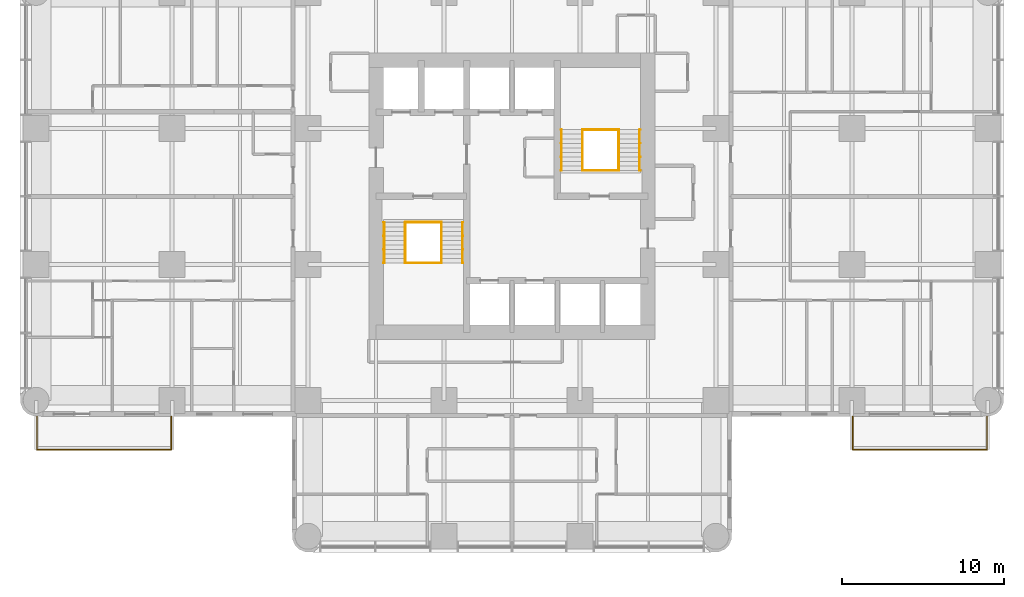
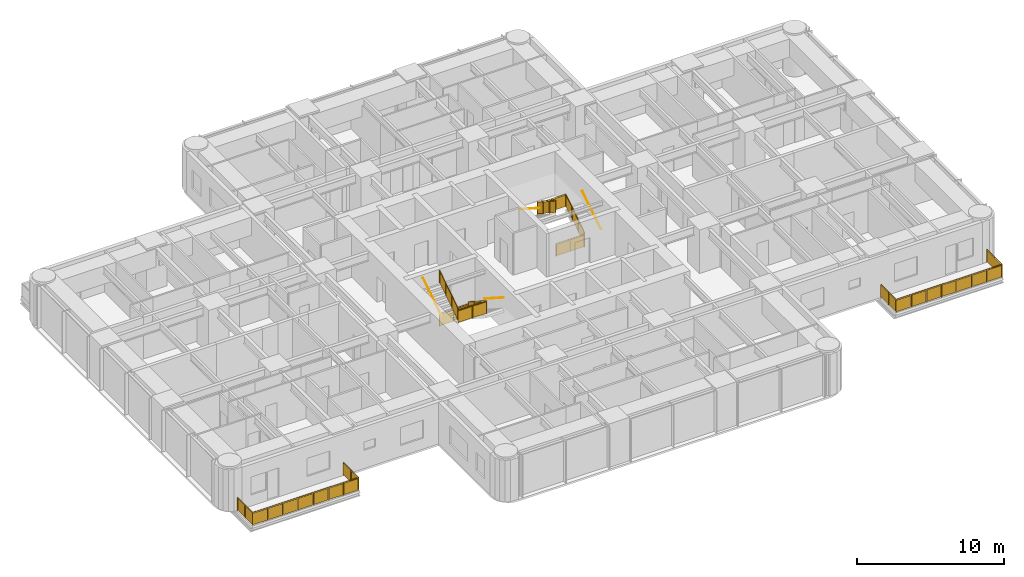
# One storey, part 13 of 14: 14 railings.
"""IFC4 building model written with IfcOpenShell, lengths in metres."""

from ifc_helpers import new_model, si_unit, direction, frame, origin, origin_2d, place, context, subcontext, project, spatial, polyline, circle, outline, extrude, material, constituent, constituent_set, type_object, element, save


model = new_model("IFC4")

# Units and contexts
model_context = context("Model", 3, precision=1e-05, world=origin(), true_north=direction((0.0, 1.0)))
body_context = subcontext(model_context, "Body", "Model", "MODEL_VIEW")
ifc_project = project(units=[si_unit("LENGTHUNIT", "METRE"), si_unit("AREAUNIT", "SQUARE_METRE"), si_unit("VOLUMEUNIT", "CUBIC_METRE"), si_unit("PLANEANGLEUNIT", "RADIAN"), si_unit("MASSUNIT", "GRAM", prefix="KILO")], contexts=[model_context])

# Site, building, storey
site_placement = place(None, origin())
site = spatial("IfcSite", under=ifc_project, at=site_placement, CompositionType="ELEMENT")
building_placement = place(site_placement, origin())
building = spatial("IfcBuilding", under=site, at=building_placement, Name="Torre Alcanfor", CompositionType="ELEMENT")
storey_placement = place(building_placement, frame((0.0, 0.0, 134.10009765625)))
storey = spatial("IfcBuildingStorey", under=building, at=storey_placement, Name="L34", CompositionType="ELEMENT", Elevation=134.10009765625)

# Railings
ifc_material_1 = material(Name="Laminated safety glass", Category="glass")
ifc_constituent_1 = constituent(ifc_material_1, Name="Infill")
ifc_material_2 = material(Name="Stainless steel ASTM A554 Grade MT 316L tube", Category="steel")
ifc_constituent_2 = constituent(ifc_material_2, Name="Posts and rail")
ifc_constituent_set = constituent_set(constituents=[ifc_constituent_1, ifc_constituent_2], Name="Balcony guard glass 1100")
railing_type_1 = type_object("IfcRailingType", Name="Balcony guard glass 1100", PredefinedType="BALUSTRADE", material=ifc_constituent_set)
railing_1_placement = place(storey_placement, frame((50.449951171875, 15.800048828125, 0.0)))
element("IfcRailing", 1, at=railing_1_placement, inside=storey, type_object=railing_type_1, Name="Balcony guard L34-E2", PredefinedType="BALUSTRADE", context=body_context, shape_type="SweptSolid", body=[
    extrude(circle(Radius=0.02392578125, at=origin_2d()), frame((0.0, 0.0, 1.076171875), z_axis=(0.0, -1.0, 0.0), x_axis=(1.0, 0.0, 0.0)), (0.0, 0.0, 1.0), 2.050048828125),
    extrude(circle(Radius=0.02392578125, at=origin_2d()), frame((0.0, -2.050048828125, 1.076171875), z_axis=(1.0, 0.0, 0.0), x_axis=(0.0, 1.0, 0.0)), (0.0, 0.0, 1.0), 8.300048828125),
    extrude(circle(Radius=0.02392578125, at=origin_2d()), frame((8.300048828125, -2.050048828125, 1.076171875), z_axis=(0.0, 1.0, 0.0), x_axis=(-1.0, 0.0, 0.0)), (0.0, 0.0, 1.0), 2.050048828125),
    extrude(circle(Radius=0.02099609375, at=origin_2d()), origin(), (0.0, 0.0, 1.0), 1.052001953125),
    extrude(circle(Radius=0.02099609375, at=origin_2d()), frame((0.0, -1.02490234375, 0.0)), (0.0, 0.0, 1.0), 1.052001953125),
    extrude(circle(Radius=0.02099609375, at=origin_2d()), frame((0.0, -2.050048828125, 0.0)), (0.0, 0.0, 1.0), 1.052001953125),
    extrude(circle(Radius=0.02099609375, at=origin_2d()), frame((1.185791015625, -2.050048828125, 0.0)), (0.0, 0.0, 1.0), 1.052001953125),
    extrude(circle(Radius=0.02099609375, at=origin_2d()), frame((2.371337890625, -2.050048828125, 0.0)), (0.0, 0.0, 1.0), 1.052001953125),
    extrude(circle(Radius=0.02099609375, at=origin_2d()), frame((3.55712890625, -2.050048828125, 0.0)), (0.0, 0.0, 1.0), 1.052001953125),
    extrude(circle(Radius=0.02099609375, at=origin_2d()), frame((4.742919921875, -2.050048828125, 0.0)), (0.0, 0.0, 1.0), 1.052001953125),
    extrude(circle(Radius=0.02099609375, at=origin_2d()), frame((5.9287109375, -2.050048828125, 0.0)), (0.0, 0.0, 1.0), 1.052001953125),
    extrude(circle(Radius=0.02099609375, at=origin_2d()), frame((7.1142578125, -2.050048828125, 0.0)), (0.0, 0.0, 1.0), 1.052001953125),
    extrude(circle(Radius=0.02099609375, at=origin_2d()), frame((8.300048828125, -2.050048828125, 0.0)), (0.0, 0.0, 1.0), 1.052001953125),
    extrude(circle(Radius=0.02099609375, at=origin_2d()), frame((8.300048828125, -1.02490234375, 0.0)), (0.0, 0.0, 1.0), 1.052001953125),
    extrude(circle(Radius=0.02099609375, at=origin_2d()), frame((8.300048828125, 0.0, 0.0)), (0.0, 0.0, 1.0), 1.052001953125),
    extrude(outline(polyline([(0.041015625, 0.050048828125), (0.984130859375, 0.050048828125), (0.984130859375, 1.001953125), (0.041015625, 1.001953125), (0.041015625, 0.050048828125)])), frame((0.005859375, 0.0, 0.0), z_axis=(-1.0, 0.0, 0.0), x_axis=(0.0, -1.0, 0.0)), (0.0, 0.0, 1.0), 0.011962890625),
    extrude(outline(polyline([(1.06591796875, 0.050048828125), (2.009033203125, 0.050048828125), (2.009033203125, 1.001953125), (1.06591796875, 1.001953125), (1.06591796875, 0.050048828125)])), frame((0.005859375, 0.0, 0.0), z_axis=(-1.0, 0.0, 0.0), x_axis=(0.0, -1.0, 0.0)), (0.0, 0.0, 1.0), 0.011962890625),
    extrude(outline(polyline([(0.041015625, 0.050048828125), (1.144775390625, 0.050048828125), (1.144775390625, 1.001953125), (0.041015625, 1.001953125), (0.041015625, 0.050048828125)])), frame((0.0, -2.0439453125, 0.0), z_axis=(0.0, -1.0, 0.0), x_axis=(1.0, 0.0, 0.0)), (0.0, 0.0, 1.0), 0.011962890625),
    extrude(outline(polyline([(1.226806640625, 0.050048828125), (2.330322265625, 0.050048828125), (2.330322265625, 1.001953125), (1.226806640625, 1.001953125), (1.226806640625, 0.050048828125)])), frame((0.0, -2.0439453125, 0.0), z_axis=(0.0, -1.0, 0.0), x_axis=(1.0, 0.0, 0.0)), (0.0, 0.0, 1.0), 0.011962890625),
    extrude(outline(polyline([(2.412353515625, 0.050048828125), (3.51611328125, 0.050048828125), (3.51611328125, 1.001953125), (2.412353515625, 1.001953125), (2.412353515625, 0.050048828125)])), frame((0.0, -2.0439453125, 0.0), z_axis=(0.0, -1.0, 0.0), x_axis=(1.0, 0.0, 0.0)), (0.0, 0.0, 1.0), 0.011962890625),
    extrude(outline(polyline([(3.59814453125, 0.050048828125), (4.701904296875, 0.050048828125), (4.701904296875, 1.001953125), (3.59814453125, 1.001953125), (3.59814453125, 0.050048828125)])), frame((0.0, -2.0439453125, 0.0), z_axis=(0.0, -1.0, 0.0), x_axis=(1.0, 0.0, 0.0)), (0.0, 0.0, 1.0), 0.011962890625),
    extrude(outline(polyline([(4.783935546875, 0.050048828125), (5.8876953125, 0.050048828125), (5.8876953125, 1.001953125), (4.783935546875, 1.001953125), (4.783935546875, 0.050048828125)])), frame((0.0, -2.0439453125, 0.0), z_axis=(0.0, -1.0, 0.0), x_axis=(1.0, 0.0, 0.0)), (0.0, 0.0, 1.0), 0.011962890625),
    extrude(outline(polyline([(5.9697265625, 0.050048828125), (7.0732421875, 0.050048828125), (7.0732421875, 1.001953125), (5.9697265625, 1.001953125), (5.9697265625, 0.050048828125)])), frame((0.0, -2.0439453125, 0.0), z_axis=(0.0, -1.0, 0.0), x_axis=(1.0, 0.0, 0.0)), (0.0, 0.0, 1.0), 0.011962890625),
    extrude(outline(polyline([(7.1552734375, 0.050048828125), (8.259033203125, 0.050048828125), (8.259033203125, 1.001953125), (7.1552734375, 1.001953125), (7.1552734375, 0.050048828125)])), frame((0.0, -2.0439453125, 0.0), z_axis=(0.0, -1.0, 0.0), x_axis=(1.0, 0.0, 0.0)), (0.0, 0.0, 1.0), 0.011962890625),
    extrude(outline(polyline([(0.041015625, 0.050048828125), (0.984130859375, 0.050048828125), (0.984130859375, 1.001953125), (0.041015625, 1.001953125), (0.041015625, 0.050048828125)])), frame((8.2939453125, -2.050048828125, 0.0), z_axis=(1.0, 0.0, 0.0), x_axis=(0.0, 1.0, 0.0)), (0.0, 0.0, 1.0), 0.011962890625),
    extrude(outline(polyline([(1.06591796875, 0.050048828125), (2.009033203125, 0.050048828125), (2.009033203125, 1.001953125), (1.06591796875, 1.001953125), (1.06591796875, 0.050048828125)])), frame((8.2939453125, -2.050048828125, 0.0), z_axis=(1.0, 0.0, 0.0), x_axis=(0.0, 1.0, 0.0)), (0.0, 0.0, 1.0), 0.011962890625),
])
railing_2_placement = place(storey_placement, frame((8.35009765625, 15.800048828125, 0.0)))
element("IfcRailing", 2, at=railing_2_placement, inside=storey, type_object=railing_type_1, Name="Balcony guard L34-W1", PredefinedType="BALUSTRADE", context=body_context, shape_type="SweptSolid", body=[
    extrude(circle(Radius=0.02392578125, at=origin_2d()), frame((0.0, 0.0, 1.076171875), z_axis=(0.0, -1.0, 0.0), x_axis=(1.0, 0.0, 0.0)), (0.0, 0.0, 1.0), 2.050048828125),
    extrude(circle(Radius=0.02392578125, at=origin_2d()), frame((0.0, -2.050048828125, 1.076171875), z_axis=(-1.0, 0.0, 0.0), x_axis=(0.0, -1.0, 0.0)), (0.0, 0.0, 1.0), 8.300048828125),
    extrude(circle(Radius=0.02392578125, at=origin_2d()), frame((-8.300048828125, -2.050048828125, 1.076171875), z_axis=(0.0, 1.0, 0.0), x_axis=(-1.0, 0.0, 0.0)), (0.0, 0.0, 1.0), 2.050048828125),
    extrude(circle(Radius=0.02099609375, at=origin_2d()), origin(), (0.0, 0.0, 1.0), 1.052001953125),
    extrude(circle(Radius=0.02099609375, at=origin_2d()), frame((0.0, -1.02490234375, 0.0)), (0.0, 0.0, 1.0), 1.052001953125),
    extrude(circle(Radius=0.02099609375, at=origin_2d()), frame((0.0, -2.050048828125, 0.0)), (0.0, 0.0, 1.0), 1.052001953125),
    extrude(circle(Radius=0.02099609375, at=origin_2d()), frame((-1.185791015625, -2.050048828125, 0.0)), (0.0, 0.0, 1.0), 1.052001953125),
    extrude(circle(Radius=0.02099609375, at=origin_2d()), frame((-2.371337890625, -2.050048828125, 0.0)), (0.0, 0.0, 1.0), 1.052001953125),
    extrude(circle(Radius=0.02099609375, at=origin_2d()), frame((-3.55712890625, -2.050048828125, 0.0)), (0.0, 0.0, 1.0), 1.052001953125),
    extrude(circle(Radius=0.02099609375, at=origin_2d()), frame((-4.742919921875, -2.050048828125, 0.0)), (0.0, 0.0, 1.0), 1.052001953125),
    extrude(circle(Radius=0.02099609375, at=origin_2d()), frame((-5.9287109375, -2.050048828125, 0.0)), (0.0, 0.0, 1.0), 1.052001953125),
    extrude(circle(Radius=0.02099609375, at=origin_2d()), frame((-7.1142578125, -2.050048828125, 0.0)), (0.0, 0.0, 1.0), 1.052001953125),
    extrude(circle(Radius=0.02099609375, at=origin_2d()), frame((-8.300048828125, -2.050048828125, 0.0)), (0.0, 0.0, 1.0), 1.052001953125),
    extrude(circle(Radius=0.02099609375, at=origin_2d()), frame((-8.300048828125, -1.02490234375, 0.0)), (0.0, 0.0, 1.0), 1.052001953125),
    extrude(circle(Radius=0.02099609375, at=origin_2d()), frame((-8.300048828125, 0.0, 0.0)), (0.0, 0.0, 1.0), 1.052001953125),
    extrude(outline(polyline([(0.041015625, 0.050048828125), (0.984130859375, 0.050048828125), (0.984130859375, 1.001953125), (0.041015625, 1.001953125), (0.041015625, 0.050048828125)])), frame((0.005859375, 0.0, 0.0), z_axis=(-1.0, 0.0, 0.0), x_axis=(0.0, -1.0, 0.0)), (0.0, 0.0, 1.0), 0.011962890625),
    extrude(outline(polyline([(1.06591796875, 0.050048828125), (2.009033203125, 0.050048828125), (2.009033203125, 1.001953125), (1.06591796875, 1.001953125), (1.06591796875, 0.050048828125)])), frame((0.005859375, 0.0, 0.0), z_axis=(-1.0, 0.0, 0.0), x_axis=(0.0, -1.0, 0.0)), (0.0, 0.0, 1.0), 0.011962890625),
    extrude(outline(polyline([(0.041015625, 0.050048828125), (1.144775390625, 0.050048828125), (1.144775390625, 1.001953125), (0.041015625, 1.001953125), (0.041015625, 0.050048828125)])), frame((0.0, -2.05615234375, 0.0), z_axis=(0.0, 1.0, 0.0), x_axis=(-1.0, 0.0, 0.0)), (0.0, 0.0, 1.0), 0.011962890625),
    extrude(outline(polyline([(1.226806640625, 0.050048828125), (2.330322265625, 0.050048828125), (2.330322265625, 1.001953125), (1.226806640625, 1.001953125), (1.226806640625, 0.050048828125)])), frame((0.0, -2.05615234375, 0.0), z_axis=(0.0, 1.0, 0.0), x_axis=(-1.0, 0.0, 0.0)), (0.0, 0.0, 1.0), 0.011962890625),
    extrude(outline(polyline([(2.412353515625, 0.050048828125), (3.51611328125, 0.050048828125), (3.51611328125, 1.001953125), (2.412353515625, 1.001953125), (2.412353515625, 0.050048828125)])), frame((0.0, -2.05615234375, 0.0), z_axis=(0.0, 1.0, 0.0), x_axis=(-1.0, 0.0, 0.0)), (0.0, 0.0, 1.0), 0.011962890625),
    extrude(outline(polyline([(3.59814453125, 0.050048828125), (4.701904296875, 0.050048828125), (4.701904296875, 1.001953125), (3.59814453125, 1.001953125), (3.59814453125, 0.050048828125)])), frame((0.0, -2.05615234375, 0.0), z_axis=(0.0, 1.0, 0.0), x_axis=(-1.0, 0.0, 0.0)), (0.0, 0.0, 1.0), 0.011962890625),
    extrude(outline(polyline([(4.783935546875, 0.050048828125), (5.8876953125, 0.050048828125), (5.8876953125, 1.001953125), (4.783935546875, 1.001953125), (4.783935546875, 0.050048828125)])), frame((0.0, -2.05615234375, 0.0), z_axis=(0.0, 1.0, 0.0), x_axis=(-1.0, 0.0, 0.0)), (0.0, 0.0, 1.0), 0.011962890625),
    extrude(outline(polyline([(5.9697265625, 0.050048828125), (7.0732421875, 0.050048828125), (7.0732421875, 1.001953125), (5.9697265625, 1.001953125), (5.9697265625, 0.050048828125)])), frame((0.0, -2.05615234375, 0.0), z_axis=(0.0, 1.0, 0.0), x_axis=(-1.0, 0.0, 0.0)), (0.0, 0.0, 1.0), 0.011962890625),
    extrude(outline(polyline([(7.1552734375, 0.050048828125), (8.259033203125, 0.050048828125), (8.259033203125, 1.001953125), (7.1552734375, 1.001953125), (7.1552734375, 0.050048828125)])), frame((0.0, -2.05615234375, 0.0), z_axis=(0.0, 1.0, 0.0), x_axis=(-1.0, 0.0, 0.0)), (0.0, 0.0, 1.0), 0.011962890625),
    extrude(outline(polyline([(0.041015625, 0.050048828125), (0.984130859375, 0.050048828125), (0.984130859375, 1.001953125), (0.041015625, 1.001953125), (0.041015625, 0.050048828125)])), frame((-8.30615234375, -2.050048828125, 0.0), z_axis=(1.0, 0.0, 0.0), x_axis=(0.0, 1.0, 0.0)), (0.0, 0.0, 1.0), 0.011962890625),
    extrude(outline(polyline([(1.06591796875, 0.050048828125), (2.009033203125, 0.050048828125), (2.009033203125, 1.001953125), (1.06591796875, 1.001953125), (1.06591796875, 0.050048828125)])), frame((-8.30615234375, -2.050048828125, 0.0), z_axis=(1.0, 0.0, 0.0), x_axis=(0.0, 1.0, 0.0)), (0.0, 0.0, 1.0), 0.011962890625),
])
ifc_material_3 = material(Name="Steel ASTM A500 Grade C hollow sections", Category="steel")
railing_type_2 = type_object("IfcRailingType", Name="Stair guard and handrail 1100", PredefinedType="GUARDRAIL", material=ifc_material_3)
railing_3_placement = place(storey_placement, frame((25.050048828125, 27.800048828125, 0.179931640625)))
element("IfcRailing", 3, at=railing_3_placement, inside=storey, type_object=railing_type_2, Name="Stair guard S1 L34 flight 1", PredefinedType="GUARDRAIL", context=body_context, shape_type="SweptSolid", body=[
    extrude(circle(Radius=0.02392578125, at=origin_2d()), frame((0.0, 0.0, 1.076171875), z_axis=(0.0, -0.841199657755, 0.540724639528), x_axis=(1.0, 0.0, 0.0)), (0.0, 0.0, 1.0), 2.995849609375),
    extrude(circle(Radius=0.02099609375, at=origin_2d()), origin(), (0.0, 0.0, 1.0), 1.052001953125),
    extrude(circle(Radius=0.02099609375, at=origin_2d()), frame((0.0, -0.840087890625, 0.5400390625)), (0.0, 0.0, 1.0), 1.052001953125),
    extrude(circle(Radius=0.02099609375, at=origin_2d()), frame((0.0, -1.679931640625, 1.079833984375)), (0.0, 0.0, 1.0), 1.052001953125),
    extrude(circle(Radius=0.02099609375, at=origin_2d()), frame((0.0, -2.52001953125, 1.619873046875)), (0.0, 0.0, 1.0), 1.052001953125),
    extrude(outline(polyline([(0.041015625, 0.076416015625), (0.799072265625, 0.563720703125), (0.799072265625, 1.515625), (0.041015625, 1.0283203125), (0.041015625, 0.076416015625)])), frame((0.005859375, 0.0, 0.0), z_axis=(-1.0, 0.0, 0.0), x_axis=(0.0, -1.0, 0.0)), (0.0, 0.0, 1.0), 0.011962890625),
    extrude(outline(polyline([(0.881103515625, 0.6162109375), (1.638916015625, 1.103515625), (1.638916015625, 2.0556640625), (0.881103515625, 1.568359375), (0.881103515625, 0.6162109375)])), frame((0.005859375, 0.0, 0.0), z_axis=(-1.0, 0.0, 0.0), x_axis=(0.0, -1.0, 0.0)), (0.0, 0.0, 1.0), 0.011962890625),
    extrude(outline(polyline([(1.720947265625, 1.15625), (2.47900390625, 1.6435546875), (2.47900390625, 2.595458984375), (1.720947265625, 2.108154296875), (1.720947265625, 1.15625)])), frame((0.005859375, 0.0, 0.0), z_axis=(-1.0, 0.0, 0.0), x_axis=(0.0, -1.0, 0.0)), (0.0, 0.0, 1.0), 0.011962890625),
])
railing_4_placement = place(storey_placement, frame((22.800048828125, 25.280029296875, 1.97998046875)))
element("IfcRailing", 4, at=railing_4_placement, inside=storey, type_object=railing_type_2, Name="Stair guard S1 L34 flight 2", PredefinedType="GUARDRAIL", context=body_context, shape_type="SweptSolid", body=[
    extrude(circle(Radius=0.02392578125, at=origin_2d()), frame((0.0, 0.0, 1.076171875), z_axis=(0.0, 0.841199657755, 0.540724639528), x_axis=(-1.0, 0.0, 0.0)), (0.0, 0.0, 1.0), 2.995849609375),
    extrude(circle(Radius=0.02099609375, at=origin_2d()), origin(), (0.0, 0.0, 1.0), 1.052001953125),
    extrude(circle(Radius=0.02099609375, at=origin_2d()), frame((0.0, 0.840087890625, 0.5400390625)), (0.0, 0.0, 1.0), 1.052001953125),
    extrude(circle(Radius=0.02099609375, at=origin_2d()), frame((0.0, 1.679931640625, 1.079833984375)), (0.0, 0.0, 1.0), 1.052001953125),
    extrude(circle(Radius=0.02099609375, at=origin_2d()), frame((0.0, 2.52001953125, 1.619873046875)), (0.0, 0.0, 1.0), 1.052001953125),
    extrude(outline(polyline([(0.041015625, 0.076416015625), (0.799072265625, 0.563720703125), (0.799072265625, 1.515625), (0.041015625, 1.0283203125), (0.041015625, 0.076416015625)])), frame((-0.005859375, 0.0, 0.0), z_axis=(1.0, 0.0, 0.0), x_axis=(0.0, 1.0, 0.0)), (0.0, 0.0, 1.0), 0.011962890625),
    extrude(outline(polyline([(0.881103515625, 0.6162109375), (1.638916015625, 1.103515625), (1.638916015625, 2.0556640625), (0.881103515625, 1.568359375), (0.881103515625, 0.6162109375)])), frame((-0.005859375, 0.0, 0.0), z_axis=(1.0, 0.0, 0.0), x_axis=(0.0, 1.0, 0.0)), (0.0, 0.0, 1.0), 0.011962890625),
    extrude(outline(polyline([(1.720947265625, 1.15625), (2.47900390625, 1.6435546875), (2.47900390625, 2.595458984375), (1.720947265625, 2.108154296875), (1.720947265625, 1.15625)])), frame((-0.005859375, 0.0, 0.0), z_axis=(1.0, 0.0, 0.0), x_axis=(0.0, 1.0, 0.0)), (0.0, 0.0, 1.0), 0.011962890625),
])
for number, where, name in (
    (5, (22.800048828125, 27.800048828125, 0.0), "Stair well guard S1 L34 floor landing"),
    (6, (22.800048828125, 25.280029296875, 1.7998046875), "Stair well guard S1 L34 half landing"),
):
    element("IfcRailing", number, at=place(storey_placement, frame(where)), inside=storey, type_object=railing_type_2, Name=name, PredefinedType="GUARDRAIL", context=body_context, shape_type="SweptSolid", body=[
        extrude(circle(Radius=0.02392578125, at=origin_2d()), frame((0.0, 0.0, 1.076171875), z_axis=(1.0, 0.0, 0.0), x_axis=(0.0, 1.0, 0.0)), (0.0, 0.0, 1.0), 2.25),
        extrude(circle(Radius=0.02099609375, at=origin_2d()), origin(), (0.0, 0.0, 1.0), 1.052001953125),
        extrude(circle(Radius=0.02099609375, at=origin_2d()), frame((1.125, 0.0, 0.0)), (0.0, 0.0, 1.0), 1.052001953125),
        extrude(circle(Radius=0.02099609375, at=origin_2d()), frame((2.25, 0.0, 0.0)), (0.0, 0.0, 1.0), 1.052001953125),
        extrude(outline(polyline([(0.041015625, 0.050048828125), (1.083984375, 0.050048828125), (1.083984375, 1.001953125), (0.041015625, 1.001953125), (0.041015625, 0.050048828125)])), frame((0.0, 0.005859375, 0.0), z_axis=(0.0, -1.0, 0.0), x_axis=(1.0, 0.0, 0.0)), (0.0, 0.0, 1.0), 0.011962890625),
        extrude(outline(polyline([(1.166015625, 0.050048828125), (2.208984375, 0.050048828125), (2.208984375, 1.001953125), (1.166015625, 1.001953125), (1.166015625, 0.050048828125)])), frame((0.0, 0.005859375, 0.0), z_axis=(0.0, -1.0, 0.0), x_axis=(1.0, 0.0, 0.0)), (0.0, 0.0, 1.0), 0.011962890625),
    ])
railing_5_placement = place(storey_placement, frame((36.0, 31.0, 0.179931640625)))
element("IfcRailing", 7, at=railing_5_placement, inside=storey, type_object=railing_type_2, Name="Stair guard S2 L34 flight 1", PredefinedType="GUARDRAIL", context=body_context, shape_type="SweptSolid", body=[
    extrude(circle(Radius=0.02392578125, at=origin_2d()), frame((0.0, 0.0, 1.076171875), z_axis=(0.0, 0.841199657755, 0.540724639528), x_axis=(-1.0, 0.0, 0.0)), (0.0, 0.0, 1.0), 2.995849609375),
    extrude(circle(Radius=0.02099609375, at=origin_2d()), origin(), (0.0, 0.0, 1.0), 1.052001953125),
    extrude(circle(Radius=0.02099609375, at=origin_2d()), frame((0.0, 0.840087890625, 0.5400390625)), (0.0, 0.0, 1.0), 1.052001953125),
    extrude(circle(Radius=0.02099609375, at=origin_2d()), frame((0.0, 1.679931640625, 1.079833984375)), (0.0, 0.0, 1.0), 1.052001953125),
    extrude(circle(Radius=0.02099609375, at=origin_2d()), frame((0.0, 2.52001953125, 1.619873046875)), (0.0, 0.0, 1.0), 1.052001953125),
    extrude(outline(polyline([(0.041015625, 0.076416015625), (0.799072265625, 0.563720703125), (0.799072265625, 1.515625), (0.041015625, 1.0283203125), (0.041015625, 0.076416015625)])), frame((-0.005859375, 0.0, 0.0), z_axis=(1.0, 0.0, 0.0), x_axis=(0.0, 1.0, 0.0)), (0.0, 0.0, 1.0), 0.011962890625),
    extrude(outline(polyline([(0.881103515625, 0.6162109375), (1.638916015625, 1.103515625), (1.638916015625, 2.0556640625), (0.881103515625, 1.568359375), (0.881103515625, 0.6162109375)])), frame((-0.005859375, 0.0, 0.0), z_axis=(1.0, 0.0, 0.0), x_axis=(0.0, 1.0, 0.0)), (0.0, 0.0, 1.0), 0.011962890625),
    extrude(outline(polyline([(1.720947265625, 1.15625), (2.47900390625, 1.6435546875), (2.47900390625, 2.595458984375), (1.720947265625, 2.108154296875), (1.720947265625, 1.15625)])), frame((-0.005859375, 0.0, 0.0), z_axis=(1.0, 0.0, 0.0), x_axis=(0.0, 1.0, 0.0)), (0.0, 0.0, 1.0), 0.011962890625),
])
railing_6_placement = place(storey_placement, frame((33.75, 33.52001953125, 1.97998046875)))
element("IfcRailing", 8, at=railing_6_placement, inside=storey, type_object=railing_type_2, Name="Stair guard S2 L34 flight 2", PredefinedType="GUARDRAIL", context=body_context, shape_type="SweptSolid", body=[
    extrude(circle(Radius=0.02392578125, at=origin_2d()), frame((0.0, 0.0, 1.076171875), z_axis=(0.0, -0.841199657755, 0.540724639528), x_axis=(1.0, 0.0, 0.0)), (0.0, 0.0, 1.0), 2.995849609375),
    extrude(circle(Radius=0.02099609375, at=origin_2d()), origin(), (0.0, 0.0, 1.0), 1.052001953125),
    extrude(circle(Radius=0.02099609375, at=origin_2d()), frame((0.0, -0.840087890625, 0.5400390625)), (0.0, 0.0, 1.0), 1.052001953125),
    extrude(circle(Radius=0.02099609375, at=origin_2d()), frame((0.0, -1.679931640625, 1.079833984375)), (0.0, 0.0, 1.0), 1.052001953125),
    extrude(circle(Radius=0.02099609375, at=origin_2d()), frame((0.0, -2.52001953125, 1.619873046875)), (0.0, 0.0, 1.0), 1.052001953125),
    extrude(outline(polyline([(0.041015625, 0.076416015625), (0.799072265625, 0.563720703125), (0.799072265625, 1.515625), (0.041015625, 1.0283203125), (0.041015625, 0.076416015625)])), frame((0.005859375, 0.0, 0.0), z_axis=(-1.0, 0.0, 0.0), x_axis=(0.0, -1.0, 0.0)), (0.0, 0.0, 1.0), 0.011962890625),
    extrude(outline(polyline([(0.881103515625, 0.6162109375), (1.638916015625, 1.103515625), (1.638916015625, 2.0556640625), (0.881103515625, 1.568359375), (0.881103515625, 0.6162109375)])), frame((0.005859375, 0.0, 0.0), z_axis=(-1.0, 0.0, 0.0), x_axis=(0.0, -1.0, 0.0)), (0.0, 0.0, 1.0), 0.011962890625),
    extrude(outline(polyline([(1.720947265625, 1.15625), (2.47900390625, 1.6435546875), (2.47900390625, 2.595458984375), (1.720947265625, 2.108154296875), (1.720947265625, 1.15625)])), frame((0.005859375, 0.0, 0.0), z_axis=(-1.0, 0.0, 0.0), x_axis=(0.0, -1.0, 0.0)), (0.0, 0.0, 1.0), 0.011962890625),
])
for number, where, name in (
    (9, (33.75, 31.0, 0.0), "Stair well guard S2 L34 floor landing"),
    (10, (33.75, 33.52001953125, 1.7998046875), "Stair well guard S2 L34 half landing"),
):
    element("IfcRailing", number, at=place(storey_placement, frame(where)), inside=storey, type_object=railing_type_2, Name=name, PredefinedType="GUARDRAIL", context=body_context, shape_type="SweptSolid", body=[
        extrude(circle(Radius=0.02392578125, at=origin_2d()), frame((0.0, 0.0, 1.076171875), z_axis=(1.0, 0.0, 0.0), x_axis=(0.0, 1.0, 0.0)), (0.0, 0.0, 1.0), 2.25),
        extrude(circle(Radius=0.02099609375, at=origin_2d()), origin(), (0.0, 0.0, 1.0), 1.052001953125),
        extrude(circle(Radius=0.02099609375, at=origin_2d()), frame((1.125, 0.0, 0.0)), (0.0, 0.0, 1.0), 1.052001953125),
        extrude(circle(Radius=0.02099609375, at=origin_2d()), frame((2.25, 0.0, 0.0)), (0.0, 0.0, 1.0), 1.052001953125),
        extrude(outline(polyline([(0.041015625, 0.050048828125), (1.083984375, 0.050048828125), (1.083984375, 1.001953125), (0.041015625, 1.001953125), (0.041015625, 0.050048828125)])), frame((0.0, 0.005859375, 0.0), z_axis=(0.0, -1.0, 0.0), x_axis=(1.0, 0.0, 0.0)), (0.0, 0.0, 1.0), 0.011962890625),
        extrude(outline(polyline([(1.166015625, 0.050048828125), (2.208984375, 0.050048828125), (2.208984375, 1.001953125), (1.166015625, 1.001953125), (1.166015625, 0.050048828125)])), frame((0.0, 0.005859375, 0.0), z_axis=(0.0, -1.0, 0.0), x_axis=(1.0, 0.0, 0.0)), (0.0, 0.0, 1.0), 0.011962890625),
    ])
ifc_material_4 = material(Name="Steel ASTM A500 Grade C hollow sections", Category="steel")
railing_type_3 = type_object("IfcRailingType", Name="Stair wall handrail 900", PredefinedType="HANDRAIL", material=ifc_material_4)
railing_7_placement = place(storey_placement, frame((26.3349609375, 27.800048828125, 0.179931640625)))
element("IfcRailing", 11, at=railing_7_placement, inside=storey, type_object=railing_type_3, Name="Stair handrail S1 L34 flight 1", PredefinedType="HANDRAIL", context=body_context, shape_type="SweptSolid", body=[
    extrude(circle(Radius=0.02392578125, at=origin_2d()), frame((0.0, 0.0, 0.8759765625), z_axis=(0.0, -0.841199657755, 0.540724639528), x_axis=(1.0, 0.0, 0.0)), (0.0, 0.0, 1.0), 2.995849609375),
    extrude(circle(Radius=0.008056640625, at=origin_2d()), frame((0.0, 0.0, 0.8759765625), z_axis=(1.0, 0.0, 0.0), x_axis=(0.0, 0.0, 1.0)), (0.0, 0.0, 1.0), 0.06494140625),
    extrude(circle(Radius=0.008056640625, at=origin_2d()), frame((0.0, -0.840087890625, 1.415771484375), z_axis=(1.0, 0.0, 0.0), x_axis=(0.0, 0.0, 1.0)), (0.0, 0.0, 1.0), 0.06494140625),
    extrude(circle(Radius=0.008056640625, at=origin_2d()), frame((0.0, -1.679931640625, 1.955810546875), z_axis=(1.0, 0.0, 0.0), x_axis=(0.0, 0.0, 1.0)), (0.0, 0.0, 1.0), 0.06494140625),
    extrude(circle(Radius=0.008056640625, at=origin_2d()), frame((0.0, -2.52001953125, 2.49560546875), z_axis=(1.0, 0.0, 0.0), x_axis=(0.0, 0.0, 1.0)), (0.0, 0.0, 1.0), 0.06494140625),
])
railing_8_placement = place(storey_placement, frame((21.514892578125, 25.280029296875, 1.97998046875)))
element("IfcRailing", 12, at=railing_8_placement, inside=storey, type_object=railing_type_3, Name="Stair handrail S1 L34 flight 2", PredefinedType="HANDRAIL", context=body_context, shape_type="SweptSolid", body=[
    extrude(circle(Radius=0.02392578125, at=origin_2d()), frame((0.0, 0.0, 0.8759765625), z_axis=(0.0, 0.841199657755, 0.540724639528), x_axis=(-1.0, 0.0, 0.0)), (0.0, 0.0, 1.0), 2.995849609375),
    extrude(circle(Radius=0.008056640625, at=origin_2d()), frame((0.0, 0.0, 0.8759765625), z_axis=(-1.0, 0.0, 0.0), x_axis=(0.0, 0.0, 1.0)), (0.0, 0.0, 1.0), 0.06494140625),
    extrude(circle(Radius=0.008056640625, at=origin_2d()), frame((0.0, 0.840087890625, 1.415771484375), z_axis=(-1.0, 0.0, 0.0), x_axis=(0.0, 0.0, 1.0)), (0.0, 0.0, 1.0), 0.06494140625),
    extrude(circle(Radius=0.008056640625, at=origin_2d()), frame((0.0, 1.679931640625, 1.955810546875), z_axis=(-1.0, 0.0, 0.0), x_axis=(0.0, 0.0, 1.0)), (0.0, 0.0, 1.0), 0.06494140625),
    extrude(circle(Radius=0.008056640625, at=origin_2d()), frame((0.0, 2.52001953125, 2.49560546875), z_axis=(-1.0, 0.0, 0.0), x_axis=(0.0, 0.0, 1.0)), (0.0, 0.0, 1.0), 0.06494140625),
])
railing_9_placement = place(storey_placement, frame((37.284912109375, 31.0, 0.179931640625)))
element("IfcRailing", 13, at=railing_9_placement, inside=storey, type_object=railing_type_3, Name="Stair handrail S2 L34 flight 1", PredefinedType="HANDRAIL", context=body_context, shape_type="SweptSolid", body=[
    extrude(circle(Radius=0.02392578125, at=origin_2d()), frame((0.0, 0.0, 0.8759765625), z_axis=(0.0, 0.841199657755, 0.540724639528), x_axis=(-1.0, 0.0, 0.0)), (0.0, 0.0, 1.0), 2.995849609375),
    extrude(circle(Radius=0.008056640625, at=origin_2d()), frame((0.0, 0.0, 0.8759765625), z_axis=(1.0, 0.0, 0.0), x_axis=(0.0, 0.0, 1.0)), (0.0, 0.0, 1.0), 0.06494140625),
    extrude(circle(Radius=0.008056640625, at=origin_2d()), frame((0.0, 0.840087890625, 1.415771484375), z_axis=(1.0, 0.0, 0.0), x_axis=(0.0, 0.0, 1.0)), (0.0, 0.0, 1.0), 0.06494140625),
    extrude(circle(Radius=0.008056640625, at=origin_2d()), frame((0.0, 1.679931640625, 1.955810546875), z_axis=(1.0, 0.0, 0.0), x_axis=(0.0, 0.0, 1.0)), (0.0, 0.0, 1.0), 0.06494140625),
    extrude(circle(Radius=0.008056640625, at=origin_2d()), frame((0.0, 2.52001953125, 2.49560546875), z_axis=(1.0, 0.0, 0.0), x_axis=(0.0, 0.0, 1.0)), (0.0, 0.0, 1.0), 0.06494140625),
])
railing_10_placement = place(storey_placement, frame((32.465087890625, 33.52001953125, 1.97998046875)))
element("IfcRailing", 14, at=railing_10_placement, inside=storey, type_object=railing_type_3, Name="Stair handrail S2 L34 flight 2", PredefinedType="HANDRAIL", context=body_context, shape_type="SweptSolid", body=[
    extrude(circle(Radius=0.02392578125, at=origin_2d()), frame((0.0, 0.0, 0.8759765625), z_axis=(0.0, -0.841199657755, 0.540724639528), x_axis=(1.0, 0.0, 0.0)), (0.0, 0.0, 1.0), 2.995849609375),
    extrude(circle(Radius=0.008056640625, at=origin_2d()), frame((0.0, 0.0, 0.8759765625), z_axis=(-1.0, 0.0, 0.0), x_axis=(0.0, 0.0, 1.0)), (0.0, 0.0, 1.0), 0.06494140625),
    extrude(circle(Radius=0.008056640625, at=origin_2d()), frame((0.0, -0.840087890625, 1.415771484375), z_axis=(-1.0, 0.0, 0.0), x_axis=(0.0, 0.0, 1.0)), (0.0, 0.0, 1.0), 0.06494140625),
    extrude(circle(Radius=0.008056640625, at=origin_2d()), frame((0.0, -1.679931640625, 1.955810546875), z_axis=(-1.0, 0.0, 0.0), x_axis=(0.0, 0.0, 1.0)), (0.0, 0.0, 1.0), 0.06494140625),
    extrude(circle(Radius=0.008056640625, at=origin_2d()), frame((0.0, -2.52001953125, 2.49560546875), z_axis=(-1.0, 0.0, 0.0), x_axis=(0.0, 0.0, 1.0)), (0.0, 0.0, 1.0), 0.06494140625),
])

save(model, "model.ifc")
